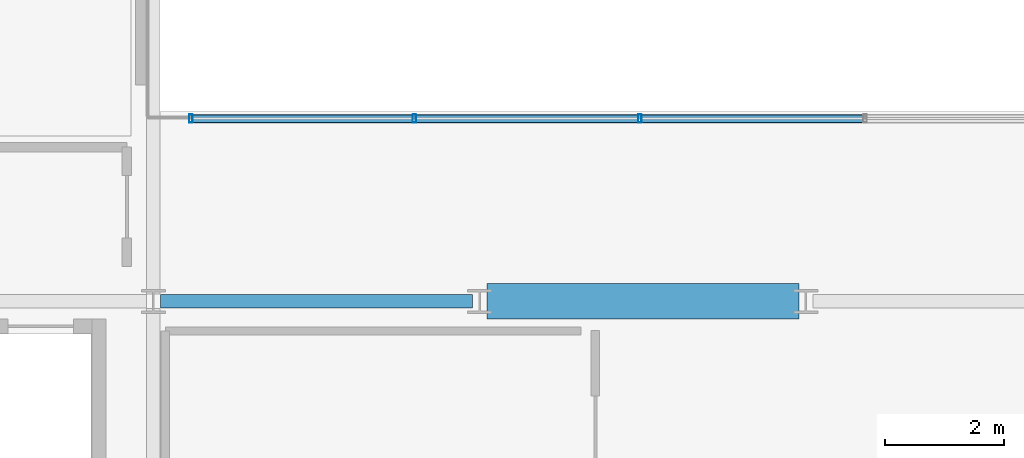
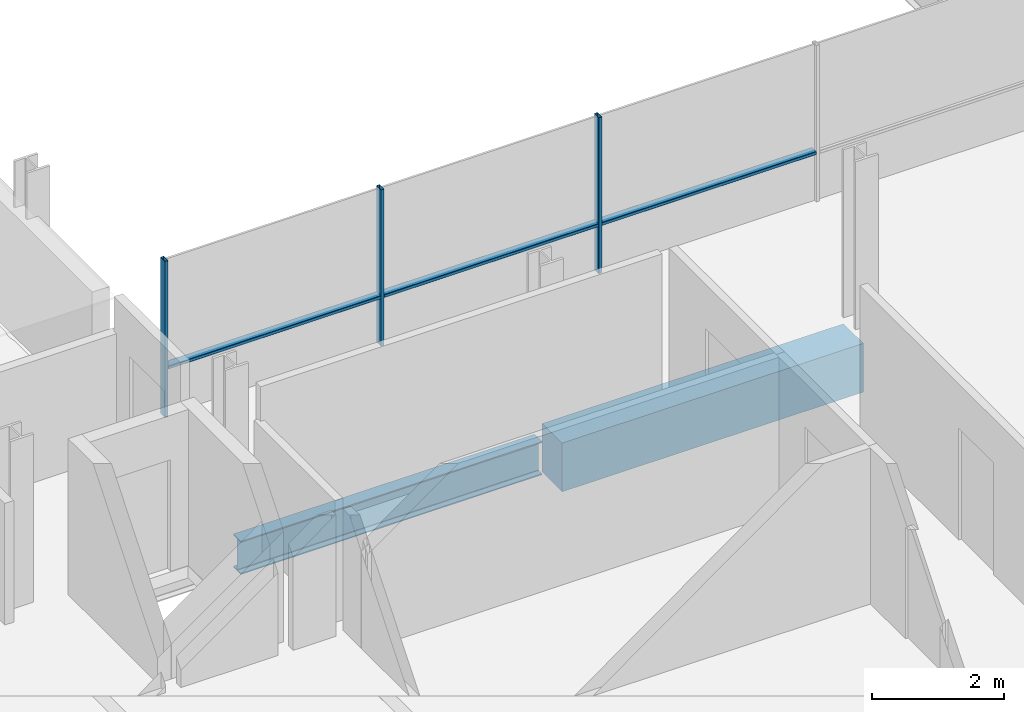
# One storey, part 6 of 41: 6 members, 2 beams, 1 element without a shape of its own.
"""IFC4 building model written with IfcOpenShell, lengths in metres."""

from ifc_helpers import new_model, si_unit, direction, frame, origin, origin_2d, place, context, subcontext, project, spatial, rectangle, hollow_rectangle, i_section, extrude, material, layer, layer_set, material_profile, profile_set, type_object, element, aggregate, save


model = new_model("IFC4")

# Units and contexts
model_context = context("Model", 3, precision=1e-05, world=origin(), true_north=direction((0.0, 1.0)))
body_context = subcontext(model_context, "Body", "Model", "MODEL_VIEW")
ifc_project = project(units=[si_unit("LENGTHUNIT", "METRE"), si_unit("AREAUNIT", "SQUARE_METRE"), si_unit("VOLUMEUNIT", "CUBIC_METRE"), si_unit("PLANEANGLEUNIT", "RADIAN"), si_unit("MASSUNIT", "GRAM", prefix="KILO")], contexts=[model_context])

# Site, building, storey
site_placement = place(None, origin())
site = spatial("IfcSite", under=ifc_project, at=site_placement, CompositionType="ELEMENT")
building_placement = place(site_placement, origin())
building = spatial("IfcBuilding", under=site, at=building_placement, Name="Brevholm Reach", CompositionType="ELEMENT")
storey_placement = place(building_placement, frame((0.0, 0.0, 163.5)))
storey = spatial("IfcBuildingStorey", under=building, at=storey_placement, Name="L49", CompositionType="ELEMENT", Elevation=163.5)

# Beams
ifc_material_1 = material(Name="Concrete C50/60", Category="concrete")
ifc_material_profile_1 = material_profile(ifc_material_1, rectangle(XDim=0.60009765625, YDim=0.89990234375, at=origin_2d()), Name="RC 600x900")
ifc_profile_set_1 = profile_set([ifc_material_profile_1], Name="Concrete C50/60")
beam_type_1 = type_object("IfcBeamType", Name="BM-CB600", PredefinedType="LINTEL", material=ifc_profile_set_1)
beam_1_placement = place(storey_placement, frame((27.3701171875, 10.0, -0.669921875), z_axis=(1.0, 0.0, 0.0), x_axis=(0.0, 1.0, 0.0)))
element("IfcBeam", 1, at=beam_1_placement, inside=storey, type_object=beam_type_1, Name="L49 CB-02 Framing Beam", PredefinedType="LINTEL", context=body_context, shape_type="SweptSolid", body=[
    extrude(rectangle(XDim=0.60009765625, YDim=0.89990234375, at=origin_2d()), origin(), (0.0, 0.0, 1.0), 5.259765625),
])
ifc_material_2 = material(Name="Structural Steel S355J2", Category="steel")
ifc_material_profile_2 = material_profile(ifc_material_2, i_section(OverallWidth=0.22900390625, OverallDepth=0.6123046875, WebThickness=0.011962890625, FlangeThickness=0.01953125, FilletRadius=0.0126953125, at=origin_2d()), Name="UKB 610x229x125")
ifc_profile_set_2 = profile_set([ifc_material_profile_2], Name="Structural Steel S355J2")
beam_type_2 = type_object("IfcBeamType", Name="BM-SP610", PredefinedType="SPANDREL", material=ifc_profile_set_2)
beam_2_placement = place(storey_placement, frame((21.8701171875, 10.0, -0.526123046875), z_axis=(1.0, 0.0, 0.0), x_axis=(0.0, 1.0, 0.0)))
element("IfcBeam", 2, at=beam_2_placement, inside=storey, type_object=beam_type_2, Name="L49 SP-01 Framing Beam", PredefinedType="SPANDREL", context=body_context, shape_type="SweptSolid", body=[
    extrude(i_section(OverallWidth=0.22900390625, OverallDepth=0.6123046875, WebThickness=0.011962890625, FlangeThickness=0.01953125, FilletRadius=0.0126953125, at=origin_2d()), origin(), (0.0, 0.0, 1.0), 5.259765625),
])

# Curtain wall, members
ifc_material_3 = material(Name="Dark Anodised Aluminium 6063-T6 and Solar-Control Glass", Category="aluminium")
ifc_layer = layer(ifc_material_3, 0.139892578125)
ifc_layer_set = layer_set([ifc_layer], Name="Dark Anodised Aluminium 6063-T6 and Solar-Control Glass")
curtain_wall_type = type_object("IfcCurtainWallType", Name="CW-02", PredefinedType="NOTDEFINED", material=ifc_layer_set)
curtain_wall_placement = place(storey_placement, origin())
curtain_wall = element("IfcCurtainWall", 3, at=curtain_wall_placement, inside=storey, type_object=curtain_wall_type, Name="L49 Curtain Wall CW-02", PredefinedType="NOTDEFINED")
ifc_material_4 = material(Name="Dark Anodised Aluminium 6063-T6", Category="aluminium")
ifc_material_profile_3 = material_profile(ifc_material_4, hollow_rectangle(XDim=0.06005859375, YDim=0.139892578125, WallThickness=0.0048828125, InnerFilletRadius=0.0048828125, OuterFilletRadius=0.010009765625, at=origin_2d()), Name="RHS 140x60x5")
ifc_profile_set_3 = profile_set([ifc_material_profile_3], Name="Dark Anodised Aluminium 6063-T6")
member_type_1 = type_object("IfcMemberType", Name="CWM-140", PredefinedType="MULLION", material=ifc_profile_set_3)
member_1_placement = place(storey_placement, frame((22.3798828125, 13.080078125, 0.0), z_axis=(0.0, 0.0, 1.0), x_axis=(1.0, 0.0, 0.0)))
member_1 = element("IfcMember", 4, at=member_1_placement, type_object=member_type_1, Name="CM-140 Mullion 1", PredefinedType="MULLION", context=body_context, shape_type="SweptSolid", body=[
    extrude(hollow_rectangle(XDim=0.06005859375, YDim=0.139892578125, WallThickness=0.0048828125, InnerFilletRadius=0.0048828125, OuterFilletRadius=0.010009765625, at=origin_2d()), origin(), (0.0, 0.0, 1.0), 2.8798828125),
])
member_2_placement = place(storey_placement, frame((26.14990234375, 13.080078125, 0.0), z_axis=(0.0, 0.0, 1.0), x_axis=(1.0, 0.0, 0.0)))
member_2 = element("IfcMember", 5, at=member_2_placement, type_object=member_type_1, Name="CM-140 Mullion 2", PredefinedType="MULLION", context=body_context, shape_type="SweptSolid", body=[
    extrude(hollow_rectangle(XDim=0.06005859375, YDim=0.139892578125, WallThickness=0.0048828125, InnerFilletRadius=0.0048828125, OuterFilletRadius=0.010009765625, at=origin_2d()), origin(), (0.0, 0.0, 1.0), 2.8798828125),
])
member_3_placement = place(storey_placement, frame((29.949951171875, 13.080078125, 0.0), z_axis=(0.0, 0.0, 1.0), x_axis=(1.0, 0.0, 0.0)))
member_3 = element("IfcMember", 6, at=member_3_placement, type_object=member_type_1, Name="CM-140 Mullion 3", PredefinedType="MULLION", context=body_context, shape_type="SweptSolid", body=[
    extrude(hollow_rectangle(XDim=0.06005859375, YDim=0.139892578125, WallThickness=0.0048828125, InnerFilletRadius=0.0048828125, OuterFilletRadius=0.010009765625, at=origin_2d()), origin(), (0.0, 0.0, 1.0), 2.8798828125),
])
ifc_material_5 = material(Name="Dark Anodised Aluminium 6063-T6", Category="aluminium")
ifc_material_profile_4 = material_profile(ifc_material_5, hollow_rectangle(XDim=0.06005859375, YDim=0.139892578125, WallThickness=0.0048828125, InnerFilletRadius=0.0048828125, OuterFilletRadius=0.010009765625, at=origin_2d()), Name="RHS 140x60x5")
ifc_profile_set_4 = profile_set([ifc_material_profile_4], Name="Dark Anodised Aluminium 6063-T6")
member_type_2 = type_object("IfcMemberType", Name="CWT-140", PredefinedType="NOTDEFINED", material=ifc_profile_set_4)
member_4_placement = place(storey_placement, frame((22.409912109375, 13.080078125, 0.89990234375), z_axis=(1.0, 0.0, 0.0), x_axis=(0.0, 0.0, 1.0)))
member_4 = element("IfcMember", 7, at=member_4_placement, type_object=member_type_2, Name="CT-140 Transom 1.1", ObjectType="TRANSOM", PredefinedType="USERDEFINED", context=body_context, shape_type="SweptSolid", body=[
    extrude(hollow_rectangle(XDim=0.06005859375, YDim=0.139892578125, WallThickness=0.0048828125, InnerFilletRadius=0.0048828125, OuterFilletRadius=0.010009765625, at=origin_2d()), origin(), (0.0, 0.0, 1.0), 3.710205078125),
])
member_5_placement = place(storey_placement, frame((26.179931640625, 13.080078125, 0.89990234375), z_axis=(1.0, 0.0, 0.0), x_axis=(0.0, 0.0, 1.0)))
member_5 = element("IfcMember", 8, at=member_5_placement, type_object=member_type_2, Name="CT-140 Transom 2.1", ObjectType="TRANSOM", PredefinedType="USERDEFINED", context=body_context, shape_type="SweptSolid", body=[
    extrude(hollow_rectangle(XDim=0.06005859375, YDim=0.139892578125, WallThickness=0.0048828125, InnerFilletRadius=0.0048828125, OuterFilletRadius=0.010009765625, at=origin_2d()), origin(), (0.0, 0.0, 1.0), 3.739990234375),
])
member_6_placement = place(storey_placement, frame((29.97998046875, 13.080078125, 0.89990234375), z_axis=(1.0, 0.0, 0.0), x_axis=(0.0, 0.0, 1.0)))
member_6 = element("IfcMember", 9, at=member_6_placement, type_object=member_type_2, Name="CT-140 Transom 3.1", ObjectType="TRANSOM", PredefinedType="USERDEFINED", context=body_context, shape_type="SweptSolid", body=[
    extrude(hollow_rectangle(XDim=0.06005859375, YDim=0.139892578125, WallThickness=0.0048828125, InnerFilletRadius=0.0048828125, OuterFilletRadius=0.010009765625, at=origin_2d()), origin(), (0.0, 0.0, 1.0), 3.739990234375),
])
aggregate(curtain_wall, [member_1, member_2, member_3, member_4, member_5, member_6])

save(model, "model.ifc")
